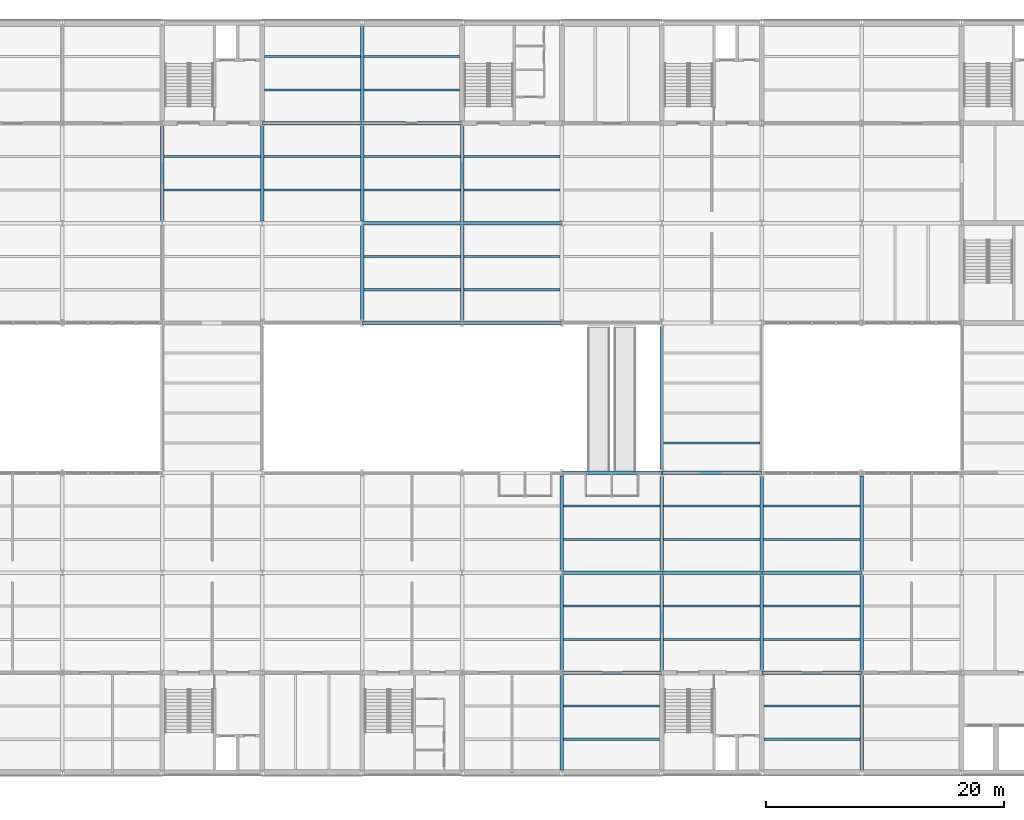
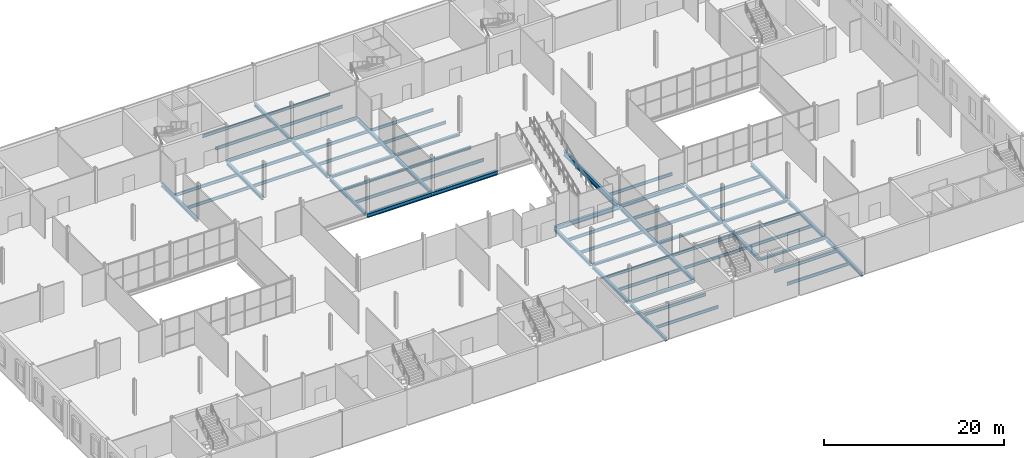
# One storey, part 17 of 57: 64 beams.
"""IFC4 building model written with IfcOpenShell, lengths in metres."""

from ifc_helpers import new_model, si_unit, direction, frame, origin, origin_2d, place, context, subcontext, project, spatial, i_section, extrude, material, material_profile, profile_set, type_object, element, save


model = new_model("IFC4")

# Units and contexts
model_context = context("Model", 3, precision=1e-05, world=origin(), true_north=direction((0.0, 1.0)))
body_context = subcontext(model_context, "Body", "Model", "MODEL_VIEW")
ifc_project = project(units=[si_unit("LENGTHUNIT", "METRE"), si_unit("AREAUNIT", "SQUARE_METRE"), si_unit("VOLUMEUNIT", "CUBIC_METRE"), si_unit("PLANEANGLEUNIT", "RADIAN"), si_unit("MASSUNIT", "GRAM", prefix="KILO")], contexts=[model_context])

# Site, building, storey
site_placement = place(None, origin())
site = spatial("IfcSite", under=ifc_project, at=site_placement, CompositionType="ELEMENT")
building_placement = place(site_placement, origin())
building = spatial("IfcBuilding", under=site, at=building_placement, Name="Galleria Vessillo Department Store", CompositionType="ELEMENT")
storey_placement = place(building_placement, frame((0.0, 0.0, 21.0)))
storey = spatial("IfcBuildingStorey", under=building, at=storey_placement, Name="L04", CompositionType="ELEMENT", Elevation=21.0)

# Beams
ifc_material_1 = material(Name="Steel S355 J2", Category="steel")
ifc_material_profile_1 = material_profile(ifc_material_1, i_section(OverallWidth=0.300048828125, OverallDepth=0.43994140625, WebThickness=0.011474609375, FlangeThickness=0.02099609375, FilletRadius=0.027099609375, at=origin_2d()), Name="HEA 450")
ifc_profile_set_1 = profile_set([ifc_material_profile_1], Name="Steel S355 J2")
beam_type_1 = type_object("IfcBeamType", Name="Bridge girder HEA 450", PredefinedType="BEAM", material=ifc_profile_set_1)
beam_1_placement = place(storey_placement, frame((75.610595703125, 25.199951171875, -0.369873046875), z_axis=(1.0, 0.0, 0.0), x_axis=(0.0, 1.0, 0.0)))
element("IfcBeam", 1, at=beam_1_placement, inside=storey, type_object=beam_type_1, Name="S-BM-L04-BR-x25200-75611", PredefinedType="BEAM", context=body_context, shape_type="SweptSolid", body=[
    extrude(i_section(OverallWidth=0.300048828125, OverallDepth=0.43994140625, WebThickness=0.011474609375, FlangeThickness=0.02099609375, FilletRadius=0.027099609375, at=origin_2d()), origin(), (0.0, 0.0, 1.0), 8.378662109375),
])
ifc_material_2 = material(Name="Steel S355 J2", Category="steel")
ifc_material_profile_2 = material_profile(ifc_material_2, i_section(OverallWidth=0.300048828125, OverallDepth=0.68994140625, WebThickness=0.014404296875, FlangeThickness=0.027099609375, FilletRadius=0.027099609375, at=origin_2d()), Name="HEA 700")
ifc_profile_set_2 = profile_set([ifc_material_profile_2], Name="Steel S355 J2")
beam_type_2 = type_object("IfcBeamType", Name="Bridge girder HEA 700", PredefinedType="BEAM", material=ifc_profile_set_2)
beam_2_placement = place(storey_placement, frame((75.60009765625, 25.51025390625, -0.494873046875), z_axis=(0.0, 1.0, 0.0), x_axis=(-1.0, 0.0, 0.0)))
element("IfcBeam", 2, at=beam_2_placement, inside=storey, type_object=beam_type_2, Name="S-BM-L04-BR-y75600-25510", PredefinedType="BEAM", context=body_context, shape_type="SweptSolid", body=[
    extrude(i_section(OverallWidth=0.300048828125, OverallDepth=0.68994140625, WebThickness=0.014404296875, FlangeThickness=0.027099609375, FilletRadius=0.027099609375, at=origin_2d()), origin(), (0.0, 0.0, 1.0), 11.9794921875),
])
ifc_material_3 = material(Name="Steel S355 J2", Category="steel")
ifc_material_profile_3 = material_profile(ifc_material_3, i_section(OverallWidth=0.300048828125, OverallDepth=0.43994140625, WebThickness=0.011474609375, FlangeThickness=0.02099609375, FilletRadius=0.027099609375, at=origin_2d()), Name="HEA 450")
ifc_profile_set_3 = profile_set([ifc_material_profile_3], Name="Steel S355 J2")
beam_type_3 = type_object("IfcBeamType", Name="Floor girder HEA 450", PredefinedType="BEAM", material=ifc_profile_set_3)
for number, where, z_axis, x_axis, name in (
    (3, (33.60009765625, 46.400146484375, -0.369873046875), (0.0, 1.0, 0.0), (-1.0, 0.0, 0.0), "S-BM-L04-GI-y33600-46400"),
    (4, (42.0, 46.400146484375, -0.369873046875), (0.0, 1.0, 0.0), (-1.0, 0.0, 0.0), "S-BM-L04-GI-y42000-46400"),
):
    element("IfcBeam", number, at=place(storey_placement, frame(where, z_axis=z_axis, x_axis=x_axis)), inside=storey, type_object=beam_type_3, Name=name, PredefinedType="BEAM", context=body_context, shape_type="SweptSolid", body=[
        extrude(i_section(OverallWidth=0.300048828125, OverallDepth=0.43994140625, WebThickness=0.011474609375, FlangeThickness=0.02099609375, FilletRadius=0.027099609375, at=origin_2d()), origin(), (0.0, 0.0, 1.0), 7.999755859375),
    ])
beam_3_placement = place(storey_placement, frame((50.39990234375, 38.06201171875, -0.369873046875), z_axis=(0.0, 1.0, 0.0), x_axis=(-1.0, 0.0, 0.0)))
element("IfcBeam", 5, at=beam_3_placement, inside=storey, type_object=beam_type_3, Name="S-BM-L04-GI-y50400-38062", PredefinedType="BEAM", context=body_context, shape_type="SweptSolid", body=[
    extrude(i_section(OverallWidth=0.300048828125, OverallDepth=0.43994140625, WebThickness=0.011474609375, FlangeThickness=0.02099609375, FilletRadius=0.027099609375, at=origin_2d()), origin(), (0.0, 0.0, 1.0), 7.937744140625),
])
for number, where, z_axis, x_axis, name in (
    (6, (50.39990234375, 46.400146484375, -0.369873046875), (0.0, 1.0, 0.0), (-1.0, 0.0, 0.0), "S-BM-L04-GI-y50400-46400"),
    (7, (50.39990234375, 54.800048828125, -0.369873046875), (0.0, 1.0, 0.0), (-1.0, 0.0, 0.0), "S-BM-L04-GI-y50400-54800"),
):
    element("IfcBeam", number, at=place(storey_placement, frame(where, z_axis=z_axis, x_axis=x_axis)), inside=storey, type_object=beam_type_3, Name=name, PredefinedType="BEAM", context=body_context, shape_type="SweptSolid", body=[
        extrude(i_section(OverallWidth=0.300048828125, OverallDepth=0.43994140625, WebThickness=0.011474609375, FlangeThickness=0.02099609375, FilletRadius=0.027099609375, at=origin_2d()), origin(), (0.0, 0.0, 1.0), 7.999755859375),
    ])
beam_4_placement = place(storey_placement, frame((58.800048828125, 38.06201171875, -0.369873046875), z_axis=(0.0, 1.0, 0.0), x_axis=(-1.0, 0.0, 0.0)))
element("IfcBeam", 8, at=beam_4_placement, inside=storey, type_object=beam_type_3, Name="S-BM-L04-GI-y58800-38062", PredefinedType="BEAM", context=body_context, shape_type="SweptSolid", body=[
    extrude(i_section(OverallWidth=0.300048828125, OverallDepth=0.43994140625, WebThickness=0.011474609375, FlangeThickness=0.02099609375, FilletRadius=0.027099609375, at=origin_2d()), origin(), (0.0, 0.0, 1.0), 7.937744140625),
])
for number, where, z_axis, x_axis, name in (
    (9, (58.800048828125, 46.400146484375, -0.369873046875), (0.0, 1.0, 0.0), (-1.0, 0.0, 0.0), "S-BM-L04-GI-y58800-46400"),
    (10, (67.199951171875, 0.2001953125, -0.369873046875), (0.0, 1.0, 0.0), (-1.0, 0.0, 0.0), "S-BM-L04-GI-y67200-200"),
    (11, (67.199951171875, 8.60009765625, -0.369873046875), (0.0, 1.0, 0.0), (-1.0, 0.0, 0.0), "S-BM-L04-GI-y67200-8600"),
):
    element("IfcBeam", number, at=place(storey_placement, frame(where, z_axis=z_axis, x_axis=x_axis)), inside=storey, type_object=beam_type_3, Name=name, PredefinedType="BEAM", context=body_context, shape_type="SweptSolid", body=[
        extrude(i_section(OverallWidth=0.300048828125, OverallDepth=0.43994140625, WebThickness=0.011474609375, FlangeThickness=0.02099609375, FilletRadius=0.027099609375, at=origin_2d()), origin(), (0.0, 0.0, 1.0), 7.999755859375),
    ])
beam_5_placement = place(storey_placement, frame((67.199951171875, 17.000244140625, -0.369873046875), z_axis=(0.0, 1.0, 0.0), x_axis=(-1.0, 0.0, 0.0)))
element("IfcBeam", 12, at=beam_5_placement, inside=storey, type_object=beam_type_3, Name="S-BM-L04-GI-y67200-17000", PredefinedType="BEAM", context=body_context, shape_type="SweptSolid", body=[
    extrude(i_section(OverallWidth=0.300048828125, OverallDepth=0.43994140625, WebThickness=0.011474609375, FlangeThickness=0.02099609375, FilletRadius=0.027099609375, at=origin_2d()), origin(), (0.0, 0.0, 1.0), 7.937744140625),
])
beam_6_placement = place(storey_placement, frame((75.60009765625, 8.60009765625, -0.369873046875), z_axis=(0.0, 1.0, 0.0), x_axis=(-1.0, 0.0, 0.0)))
element("IfcBeam", 13, at=beam_6_placement, inside=storey, type_object=beam_type_3, Name="S-BM-L04-GI-y75600-8600", PredefinedType="BEAM", context=body_context, shape_type="SweptSolid", body=[
    extrude(i_section(OverallWidth=0.300048828125, OverallDepth=0.43994140625, WebThickness=0.011474609375, FlangeThickness=0.02099609375, FilletRadius=0.027099609375, at=origin_2d()), origin(), (0.0, 0.0, 1.0), 7.999755859375),
])
beam_7_placement = place(storey_placement, frame((75.60009765625, 17.000244140625, -0.369873046875), z_axis=(0.0, 1.0, 0.0), x_axis=(-1.0, 0.0, 0.0)))
element("IfcBeam", 14, at=beam_7_placement, inside=storey, type_object=beam_type_3, Name="S-BM-L04-GI-y75600-17000", PredefinedType="BEAM", context=body_context, shape_type="SweptSolid", body=[
    extrude(i_section(OverallWidth=0.300048828125, OverallDepth=0.43994140625, WebThickness=0.011474609375, FlangeThickness=0.02099609375, FilletRadius=0.027099609375, at=origin_2d()), origin(), (0.0, 0.0, 1.0), 7.8896484375),
])
beam_8_placement = place(storey_placement, frame((84.0, 8.60009765625, -0.369873046875), z_axis=(0.0, 1.0, 0.0), x_axis=(-1.0, 0.0, 0.0)))
element("IfcBeam", 15, at=beam_8_placement, inside=storey, type_object=beam_type_3, Name="S-BM-L04-GI-y84000-8600", PredefinedType="BEAM", context=body_context, shape_type="SweptSolid", body=[
    extrude(i_section(OverallWidth=0.300048828125, OverallDepth=0.43994140625, WebThickness=0.011474609375, FlangeThickness=0.02099609375, FilletRadius=0.027099609375, at=origin_2d()), origin(), (0.0, 0.0, 1.0), 7.999755859375),
])
beam_9_placement = place(storey_placement, frame((84.0, 17.000244140625, -0.369873046875), z_axis=(0.0, 1.0, 0.0), x_axis=(-1.0, 0.0, 0.0)))
element("IfcBeam", 16, at=beam_9_placement, inside=storey, type_object=beam_type_3, Name="S-BM-L04-GI-y84000-17000", PredefinedType="BEAM", context=body_context, shape_type="SweptSolid", body=[
    extrude(i_section(OverallWidth=0.300048828125, OverallDepth=0.43994140625, WebThickness=0.011474609375, FlangeThickness=0.02099609375, FilletRadius=0.027099609375, at=origin_2d()), origin(), (0.0, 0.0, 1.0), 7.8896484375),
])
for number, where, z_axis, x_axis, name in (
    (17, (92.39990234375, 0.2001953125, -0.369873046875), (0.0, 1.0, 0.0), (-1.0, 0.0, 0.0), "S-BM-L04-GI-y92400-200"),
    (18, (92.39990234375, 8.60009765625, -0.369873046875), (0.0, 1.0, 0.0), (-1.0, 0.0, 0.0), "S-BM-L04-GI-y92400-8600"),
):
    element("IfcBeam", number, at=place(storey_placement, frame(where, z_axis=z_axis, x_axis=x_axis)), inside=storey, type_object=beam_type_3, Name=name, PredefinedType="BEAM", context=body_context, shape_type="SweptSolid", body=[
        extrude(i_section(OverallWidth=0.300048828125, OverallDepth=0.43994140625, WebThickness=0.011474609375, FlangeThickness=0.02099609375, FilletRadius=0.027099609375, at=origin_2d()), origin(), (0.0, 0.0, 1.0), 7.999755859375),
    ])
beam_10_placement = place(storey_placement, frame((92.39990234375, 17.000244140625, -0.369873046875), z_axis=(0.0, 1.0, 0.0), x_axis=(-1.0, 0.0, 0.0)))
element("IfcBeam", 19, at=beam_10_placement, inside=storey, type_object=beam_type_3, Name="S-BM-L04-GI-y92400-17000", PredefinedType="BEAM", context=body_context, shape_type="SweptSolid", body=[
    extrude(i_section(OverallWidth=0.300048828125, OverallDepth=0.43994140625, WebThickness=0.011474609375, FlangeThickness=0.02099609375, FilletRadius=0.027099609375, at=origin_2d()), origin(), (0.0, 0.0, 1.0), 7.937744140625),
])
ifc_material_4 = material(Name="Steel S355 J2", Category="steel")
ifc_material_profile_4 = material_profile(ifc_material_4, i_section(OverallWidth=0.179931640625, OverallDepth=0.39990234375, WebThickness=0.008544921875, FlangeThickness=0.013427734375, FilletRadius=0.02099609375, at=origin_2d()), Name="IPE 400")
ifc_profile_set_4 = profile_set([ifc_material_profile_4], Name="Steel S355 J2")
beam_type_4 = type_object("IfcBeamType", Name="Floor joist IPE 400", PredefinedType="JOIST", material=ifc_profile_set_4)
for number, where, z_axis, x_axis, name in (
    (20, (33.750244140625, 49.0, -0.349853515625), (1.0, 0.0, 0.0), (0.0, 1.0, 0.0), "S-BM-L04-JO-x49000-33750"),
    (21, (33.750244140625, 51.800048828125, -0.349853515625), (1.0, 0.0, 0.0), (0.0, 1.0, 0.0), "S-BM-L04-JO-x51800-33750"),
    (22, (42.150146484375, 49.0, -0.349853515625), (1.0, 0.0, 0.0), (0.0, 1.0, 0.0), "S-BM-L04-JO-x49000-42150"),
    (23, (42.150146484375, 51.800048828125, -0.349853515625), (1.0, 0.0, 0.0), (0.0, 1.0, 0.0), "S-BM-L04-JO-x51800-42150"),
):
    element("IfcBeam", number, at=place(storey_placement, frame(where, z_axis=z_axis, x_axis=x_axis)), inside=storey, type_object=beam_type_4, Name=name, PredefinedType="JOIST", context=body_context, shape_type="SweptSolid", body=[
        extrude(i_section(OverallWidth=0.179931640625, OverallDepth=0.39990234375, WebThickness=0.008544921875, FlangeThickness=0.013427734375, FilletRadius=0.02099609375, at=origin_2d()), origin(), (0.0, 0.0, 1.0), 8.099609375),
    ])
for number, where, z_axis, x_axis, name in (
    (24, (42.2001953125, 57.39990234375, -0.349853515625), (1.0, 0.0, 0.0), (0.0, 1.0, 0.0), "S-BM-L04-JO-x57400-42200"),
    (25, (42.2001953125, 60.199951171875, -0.349853515625), (1.0, 0.0, 0.0), (0.0, 1.0, 0.0), "S-BM-L04-JO-x60200-42200"),
):
    element("IfcBeam", number, at=place(storey_placement, frame(where, z_axis=z_axis, x_axis=x_axis)), inside=storey, type_object=beam_type_4, Name=name, PredefinedType="JOIST", context=body_context, shape_type="SweptSolid", body=[
        extrude(i_section(OverallWidth=0.179931640625, OverallDepth=0.39990234375, WebThickness=0.008544921875, FlangeThickness=0.013427734375, FilletRadius=0.02099609375, at=origin_2d()), origin(), (0.0, 0.0, 1.0), 8.049560546875),
    ])
for number, where, z_axis, x_axis, name in (
    (26, (50.550048828125, 40.60009765625, -0.349853515625), (1.0, 0.0, 0.0), (0.0, 1.0, 0.0), "S-BM-L04-JO-x40600-50550"),
    (27, (50.550048828125, 43.39990234375, -0.349853515625), (1.0, 0.0, 0.0), (0.0, 1.0, 0.0), "S-BM-L04-JO-x43400-50550"),
    (28, (50.550048828125, 49.0, -0.349853515625), (1.0, 0.0, 0.0), (0.0, 1.0, 0.0), "S-BM-L04-JO-x49000-50550"),
    (29, (50.550048828125, 51.800048828125, -0.349853515625), (1.0, 0.0, 0.0), (0.0, 1.0, 0.0), "S-BM-L04-JO-x51800-50550"),
):
    element("IfcBeam", number, at=place(storey_placement, frame(where, z_axis=z_axis, x_axis=x_axis)), inside=storey, type_object=beam_type_4, Name=name, PredefinedType="JOIST", context=body_context, shape_type="SweptSolid", body=[
        extrude(i_section(OverallWidth=0.179931640625, OverallDepth=0.39990234375, WebThickness=0.008544921875, FlangeThickness=0.013427734375, FilletRadius=0.02099609375, at=origin_2d()), origin(), (0.0, 0.0, 1.0), 8.099853515625),
    ])
for number, where, z_axis, x_axis, name in (
    (30, (50.550048828125, 57.39990234375, -0.349853515625), (1.0, 0.0, 0.0), (0.0, 1.0, 0.0), "S-BM-L04-JO-x57400-50550"),
    (31, (50.550048828125, 60.199951171875, -0.349853515625), (1.0, 0.0, 0.0), (0.0, 1.0, 0.0), "S-BM-L04-JO-x60200-50550"),
):
    element("IfcBeam", number, at=place(storey_placement, frame(where, z_axis=z_axis, x_axis=x_axis)), inside=storey, type_object=beam_type_4, Name=name, PredefinedType="JOIST", context=body_context, shape_type="SweptSolid", body=[
        extrude(i_section(OverallWidth=0.179931640625, OverallDepth=0.39990234375, WebThickness=0.008544921875, FlangeThickness=0.013427734375, FilletRadius=0.02099609375, at=origin_2d()), origin(), (0.0, 0.0, 1.0), 8.0498046875),
    ])
for number, where, z_axis, x_axis, name in (
    (32, (58.9501953125, 40.60009765625, -0.349853515625), (1.0, 0.0, 0.0), (0.0, 1.0, 0.0), "S-BM-L04-JO-x40600-58950"),
    (33, (58.9501953125, 43.39990234375, -0.349853515625), (1.0, 0.0, 0.0), (0.0, 1.0, 0.0), "S-BM-L04-JO-x43400-58950"),
    (34, (58.9501953125, 49.0, -0.349853515625), (1.0, 0.0, 0.0), (0.0, 1.0, 0.0), "S-BM-L04-JO-x49000-58950"),
    (35, (58.9501953125, 51.800048828125, -0.349853515625), (1.0, 0.0, 0.0), (0.0, 1.0, 0.0), "S-BM-L04-JO-x51800-58950"),
):
    element("IfcBeam", number, at=place(storey_placement, frame(where, z_axis=z_axis, x_axis=x_axis)), inside=storey, type_object=beam_type_4, Name=name, PredefinedType="JOIST", context=body_context, shape_type="SweptSolid", body=[
        extrude(i_section(OverallWidth=0.179931640625, OverallDepth=0.39990234375, WebThickness=0.008544921875, FlangeThickness=0.013427734375, FilletRadius=0.02099609375, at=origin_2d()), origin(), (0.0, 0.0, 1.0), 8.099609375),
    ])
for number, where, z_axis, x_axis, name in (
    (36, (67.35009765625, 2.800048828125, -0.349853515625), (1.0, 0.0, 0.0), (0.0, 1.0, 0.0), "S-BM-L04-JO-x2800-67350"),
    (37, (67.35009765625, 5.60009765625, -0.349853515625), (1.0, 0.0, 0.0), (0.0, 1.0, 0.0), "S-BM-L04-JO-x5600-67350"),
):
    element("IfcBeam", number, at=place(storey_placement, frame(where, z_axis=z_axis, x_axis=x_axis)), inside=storey, type_object=beam_type_4, Name=name, PredefinedType="JOIST", context=body_context, shape_type="SweptSolid", body=[
        extrude(i_section(OverallWidth=0.179931640625, OverallDepth=0.39990234375, WebThickness=0.008544921875, FlangeThickness=0.013427734375, FilletRadius=0.02099609375, at=origin_2d()), origin(), (0.0, 0.0, 1.0), 8.0498046875),
    ])
for number, where, z_axis, x_axis, name in (
    (38, (67.35009765625, 11.199951171875, -0.349853515625), (1.0, 0.0, 0.0), (0.0, 1.0, 0.0), "S-BM-L04-JO-x11200-67350"),
    (39, (67.35009765625, 14.0, -0.349853515625), (1.0, 0.0, 0.0), (0.0, 1.0, 0.0), "S-BM-L04-JO-x14000-67350"),
    (40, (67.35009765625, 19.60009765625, -0.349853515625), (1.0, 0.0, 0.0), (0.0, 1.0, 0.0), "S-BM-L04-JO-x19600-67350"),
    (41, (67.35009765625, 22.39990234375, -0.349853515625), (1.0, 0.0, 0.0), (0.0, 1.0, 0.0), "S-BM-L04-JO-x22400-67350"),
):
    element("IfcBeam", number, at=place(storey_placement, frame(where, z_axis=z_axis, x_axis=x_axis)), inside=storey, type_object=beam_type_4, Name=name, PredefinedType="JOIST", context=body_context, shape_type="SweptSolid", body=[
        extrude(i_section(OverallWidth=0.179931640625, OverallDepth=0.39990234375, WebThickness=0.008544921875, FlangeThickness=0.013427734375, FilletRadius=0.02099609375, at=origin_2d()), origin(), (0.0, 0.0, 1.0), 8.099853515625),
    ])
for number, where, z_axis, x_axis, name in (
    (42, (75.750244140625, 11.199951171875, -0.349853515625), (1.0, 0.0, 0.0), (0.0, 1.0, 0.0), "S-BM-L04-JO-x11200-75750"),
    (43, (75.750244140625, 14.0, -0.349853515625), (1.0, 0.0, 0.0), (0.0, 1.0, 0.0), "S-BM-L04-JO-x14000-75750"),
    (44, (75.750244140625, 19.60009765625, -0.349853515625), (1.0, 0.0, 0.0), (0.0, 1.0, 0.0), "S-BM-L04-JO-x19600-75750"),
    (45, (75.750244140625, 22.39990234375, -0.349853515625), (1.0, 0.0, 0.0), (0.0, 1.0, 0.0), "S-BM-L04-JO-x22400-75750"),
    (46, (75.750244140625, 27.719970703125, -0.349853515625), (1.0, 0.0, 0.0), (0.0, 1.0, 0.0), "S-BM-L04-JO-x27720-75750"),
):
    element("IfcBeam", number, at=place(storey_placement, frame(where, z_axis=z_axis, x_axis=x_axis)), inside=storey, type_object=beam_type_4, Name=name, PredefinedType="JOIST", context=body_context, shape_type="SweptSolid", body=[
        extrude(i_section(OverallWidth=0.179931640625, OverallDepth=0.39990234375, WebThickness=0.008544921875, FlangeThickness=0.013427734375, FilletRadius=0.02099609375, at=origin_2d()), origin(), (0.0, 0.0, 1.0), 8.099609375),
    ])
for number, where, z_axis, x_axis, name in (
    (47, (84.2001953125, 2.800048828125, -0.349853515625), (1.0, 0.0, 0.0), (0.0, 1.0, 0.0), "S-BM-L04-JO-x2800-84200"),
    (48, (84.2001953125, 5.60009765625, -0.349853515625), (1.0, 0.0, 0.0), (0.0, 1.0, 0.0), "S-BM-L04-JO-x5600-84200"),
):
    element("IfcBeam", number, at=place(storey_placement, frame(where, z_axis=z_axis, x_axis=x_axis)), inside=storey, type_object=beam_type_4, Name=name, PredefinedType="JOIST", context=body_context, shape_type="SweptSolid", body=[
        extrude(i_section(OverallWidth=0.179931640625, OverallDepth=0.39990234375, WebThickness=0.008544921875, FlangeThickness=0.013427734375, FilletRadius=0.02099609375, at=origin_2d()), origin(), (0.0, 0.0, 1.0), 8.049560546875),
    ])
for number, where, z_axis, x_axis, name in (
    (49, (84.150146484375, 11.199951171875, -0.349853515625), (1.0, 0.0, 0.0), (0.0, 1.0, 0.0), "S-BM-L04-JO-x11200-84150"),
    (50, (84.150146484375, 14.0, -0.349853515625), (1.0, 0.0, 0.0), (0.0, 1.0, 0.0), "S-BM-L04-JO-x14000-84150"),
    (51, (84.150146484375, 19.60009765625, -0.349853515625), (1.0, 0.0, 0.0), (0.0, 1.0, 0.0), "S-BM-L04-JO-x19600-84150"),
    (52, (84.150146484375, 22.39990234375, -0.349853515625), (1.0, 0.0, 0.0), (0.0, 1.0, 0.0), "S-BM-L04-JO-x22400-84150"),
):
    element("IfcBeam", number, at=place(storey_placement, frame(where, z_axis=z_axis, x_axis=x_axis)), inside=storey, type_object=beam_type_4, Name=name, PredefinedType="JOIST", context=body_context, shape_type="SweptSolid", body=[
        extrude(i_section(OverallWidth=0.179931640625, OverallDepth=0.39990234375, WebThickness=0.008544921875, FlangeThickness=0.013427734375, FilletRadius=0.02099609375, at=origin_2d()), origin(), (0.0, 0.0, 1.0), 8.099609375),
    ])
ifc_material_5 = material(Name="Steel S355 J2", Category="steel")
ifc_material_profile_5 = material_profile(ifc_material_5, i_section(OverallWidth=0.300048828125, OverallDepth=0.330078125, WebThickness=0.009521484375, FlangeThickness=0.0166015625, FilletRadius=0.027099609375, at=origin_2d()), Name="HEA 340")
ifc_profile_set_5 = profile_set([ifc_material_profile_5], Name="Steel S355 J2")
beam_type_5 = type_object("IfcBeamType", Name="Floor tie girder HEA 340", PredefinedType="BEAM", material=ifc_profile_set_5)
for number, where, z_axis, x_axis, name in (
    (53, (67.206787109375, 8.39990234375, -0.31494140625), (1.0, 0.0, 0.0), (0.0, 1.0, 0.0), "S-BM-L04-TI-x8400-67207"),
    (54, (84.0068359375, 8.39990234375, -0.31494140625), (1.0, 0.0, 0.0), (0.0, 1.0, 0.0), "S-BM-L04-TI-x8400-84007"),
    (55, (67.206787109375, 16.800048828125, -0.31494140625), (1.0, 0.0, 0.0), (0.0, 1.0, 0.0), "S-BM-L04-TI-x16800-67207"),
    (56, (75.60693359375, 16.800048828125, -0.31494140625), (1.0, 0.0, 0.0), (0.0, 1.0, 0.0), "S-BM-L04-TI-x16800-75607"),
    (57, (84.0068359375, 16.800048828125, -0.31494140625), (1.0, 0.0, 0.0), (0.0, 1.0, 0.0), "S-BM-L04-TI-x16800-84007"),
    (58, (50.406982421875, 46.199951171875, -0.31494140625), (1.0, 0.0, 0.0), (0.0, 1.0, 0.0), "S-BM-L04-TI-x46200-50407"),
    (59, (58.806884765625, 46.199951171875, -0.31494140625), (1.0, 0.0, 0.0), (0.0, 1.0, 0.0), "S-BM-L04-TI-x46200-58807"),
    (60, (42.0068359375, 54.60009765625, -0.31494140625), (1.0, 0.0, 0.0), (0.0, 1.0, 0.0), "S-BM-L04-TI-x54600-42007"),
    (61, (50.406982421875, 54.60009765625, -0.31494140625), (1.0, 0.0, 0.0), (0.0, 1.0, 0.0), "S-BM-L04-TI-x54600-50407"),
):
    element("IfcBeam", number, at=place(storey_placement, frame(where, z_axis=z_axis, x_axis=x_axis)), inside=storey, type_object=beam_type_5, Name=name, PredefinedType="BEAM", context=body_context, shape_type="SweptSolid", body=[
        extrude(i_section(OverallWidth=0.300048828125, OverallDepth=0.330078125, WebThickness=0.009521484375, FlangeThickness=0.0166015625, FilletRadius=0.027099609375, at=origin_2d()), origin(), (0.0, 0.0, 1.0), 8.38623046875),
    ])
ifc_material_6 = material(Name="Steel S355 J2", Category="steel")
ifc_material_profile_6 = material_profile(ifc_material_6, i_section(OverallWidth=0.300048828125, OverallDepth=0.5400390625, WebThickness=0.012451171875, FlangeThickness=0.02392578125, FilletRadius=0.027099609375, at=origin_2d()), Name="HEA 550")
ifc_profile_set_6 = profile_set([ifc_material_profile_6], Name="Steel S355 J2")
beam_type_6 = type_object("IfcBeamType", Name="Trimmer beam HEA 550", PredefinedType="BEAM", material=ifc_profile_set_6)
for number, where, z_axis, x_axis, name in (
    (62, (67.210693359375, 25.199951171875, -0.419921875), (1.0, 0.0, 0.0), (0.0, 1.0, 0.0), "S-BM-L04-TR-x25200-67211"),
    (63, (50.41064453125, 37.800048828125, -0.419921875), (1.0, 0.0, 0.0), (0.0, 1.0, 0.0), "S-BM-L04-TR-x37800-50411"),
):
    element("IfcBeam", number, at=place(storey_placement, frame(where, z_axis=z_axis, x_axis=x_axis)), inside=storey, type_object=beam_type_6, Name=name, PredefinedType="BEAM", context=body_context, shape_type="SweptSolid", body=[
        extrude(i_section(OverallWidth=0.300048828125, OverallDepth=0.5400390625, WebThickness=0.012451171875, FlangeThickness=0.02392578125, FilletRadius=0.027099609375, at=origin_2d()), origin(), (0.0, 0.0, 1.0), 8.378662109375),
    ])
beam_11_placement = place(storey_placement, frame((58.810546875, 37.800048828125, -0.419921875), z_axis=(1.0, 0.0, 0.0), x_axis=(0.0, 1.0, 0.0)))
element("IfcBeam", 64, at=beam_11_placement, inside=storey, type_object=beam_type_6, Name="S-BM-L04-TR-x37800-58811", PredefinedType="BEAM", context=body_context, shape_type="SweptSolid", body=[
    extrude(i_section(OverallWidth=0.300048828125, OverallDepth=0.5400390625, WebThickness=0.012451171875, FlangeThickness=0.02392578125, FilletRadius=0.027099609375, at=origin_2d()), origin(), (0.0, 0.0, 1.0), 8.37890625),
])

save(model, "model.ifc")
